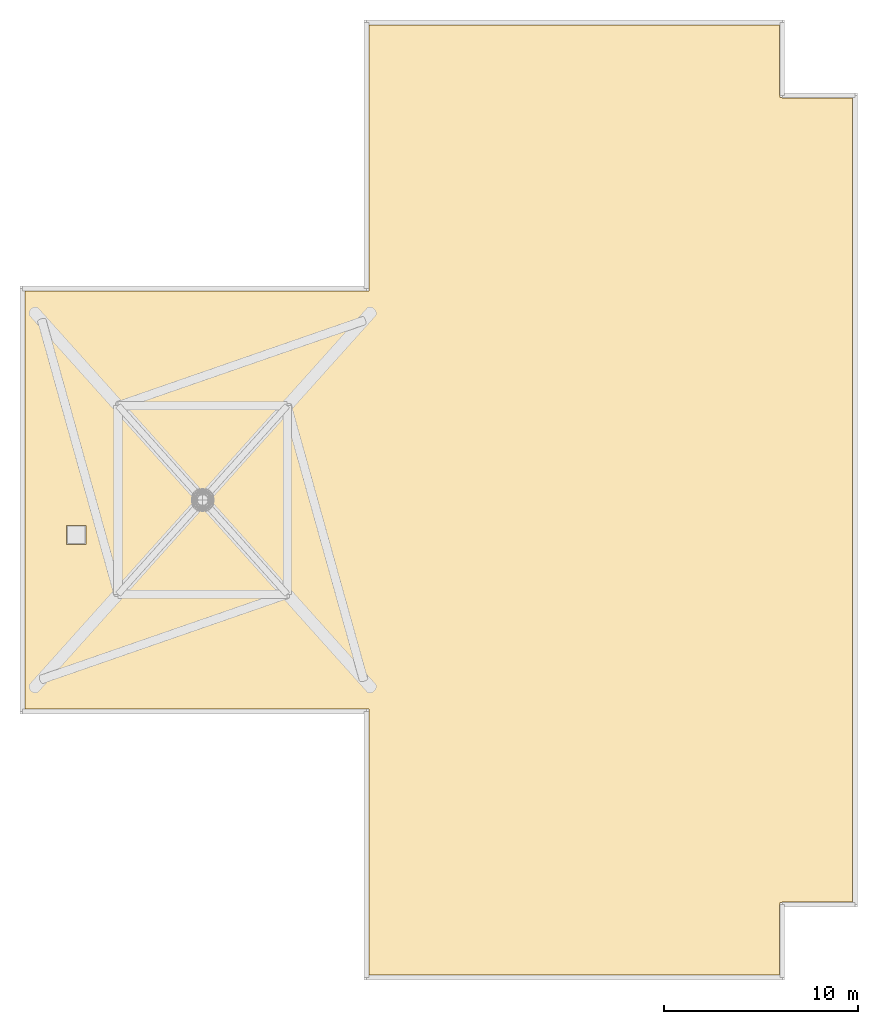
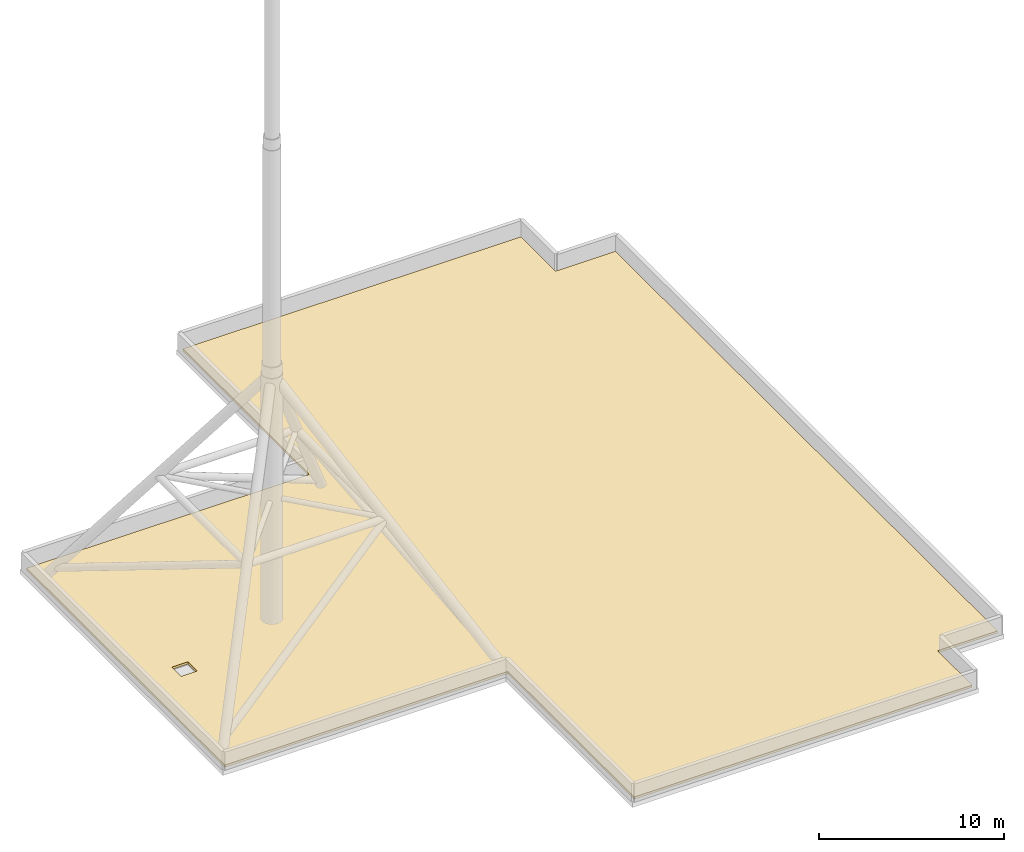
# One storey, part 3 of 3: 1 covering.
"""IFC4 building model written with IfcOpenShell, lengths in metres."""

from ifc_helpers import new_model, si_unit, direction, frame, origin, place, context, subcontext, project, spatial, polyline, outline, extrude, material, layer, layer_set, type_object, element, save


model = new_model("IFC4")

# Units and contexts
model_context = context("Model", 3, precision=1e-05, world=origin(), true_north=direction((0.0, 1.0)))
body_context = subcontext(model_context, "Body", "Model", "MODEL_VIEW")
ifc_project = project(units=[si_unit("LENGTHUNIT", "METRE"), si_unit("AREAUNIT", "SQUARE_METRE"), si_unit("VOLUMEUNIT", "CUBIC_METRE"), si_unit("PLANEANGLEUNIT", "RADIAN"), si_unit("MASSUNIT", "GRAM", prefix="KILO")], contexts=[model_context])

# Site, building, storey
site_placement = place(None, origin())
site = spatial("IfcSite", under=ifc_project, at=site_placement, CompositionType="ELEMENT")
building_placement = place(site_placement, origin())
building = spatial("IfcBuilding", under=site, at=building_placement, Name="Cleftline Residences", CompositionType="ELEMENT")
storey_placement = place(building_placement, frame((0.0, 0.0, 301.60009765625)))
storey = spatial("IfcBuildingStorey", under=building, at=storey_placement, Name="ROOF", CompositionType="ELEMENT", Elevation=301.60009765625)

# Covering
ifc_material = material(Name="Bituminous membrane on rigid insulation")
ifc_layer = layer(ifc_material, 0.14990234375)
ifc_layer_set = layer_set([ifc_layer], Name="ROOF MEMBRANE AND INSULATION 150")
covering_type = type_object("IfcCoveringType", Name="ROOF MEMBRANE AND INSULATION 150", PredefinedType="ROOFING", material=ifc_layer_set)
covering_placement = place(storey_placement, origin())
element("IfcCovering", 1, at=covering_placement, inside=storey, type_object=covering_type, Name="Main roof membrane", PredefinedType="ROOFING", context=body_context, shape_type="SweptSolid", body=[
    extrude(outline(polyline([(41.550048828125, 13.25), (41.550048828125, 13.1298828125), (41.554931640625, 13.1298828125), (41.554931640625, -0.445068359375), (62.695068359375, -0.445068359375), (62.695068359375, 3.179931640625), (62.699951171875, 3.179931640625), (62.699951171875, 3.300048828125), (62.820068359375, 3.300048828125), (62.820068359375, 3.304931640625), (66.445068359375, 3.304931640625), (66.445068359375, 44.695068359375), (62.820068359375, 44.695068359375), (62.820068359375, 44.699951171875), (62.699951171875, 44.699951171875), (62.699951171875, 44.820068359375), (62.695068359375, 44.820068359375), (62.695068359375, 48.445068359375), (41.554931640625, 48.445068359375), (41.554931640625, 34.8701171875), (41.550048828125, 34.8701171875), (41.550048828125, 34.75), (41.429931640625, 34.75), (41.429931640625, 34.7451171875), (23.85498046875, 34.7451171875), (23.85498046875, 13.2548828125), (41.429931640625, 13.2548828125), (41.429931640625, 13.25), (41.550048828125, 13.25)]), holes=[polyline([(27.0, 21.699951171875), (27.0, 22.699951171875), (26.0, 22.699951171875), (26.0, 21.699951171875), (27.0, 21.699951171875)])]), origin(), (0.0, 0.0, 1.0), 0.14990234375),
])

save(model, "model.ifc")
